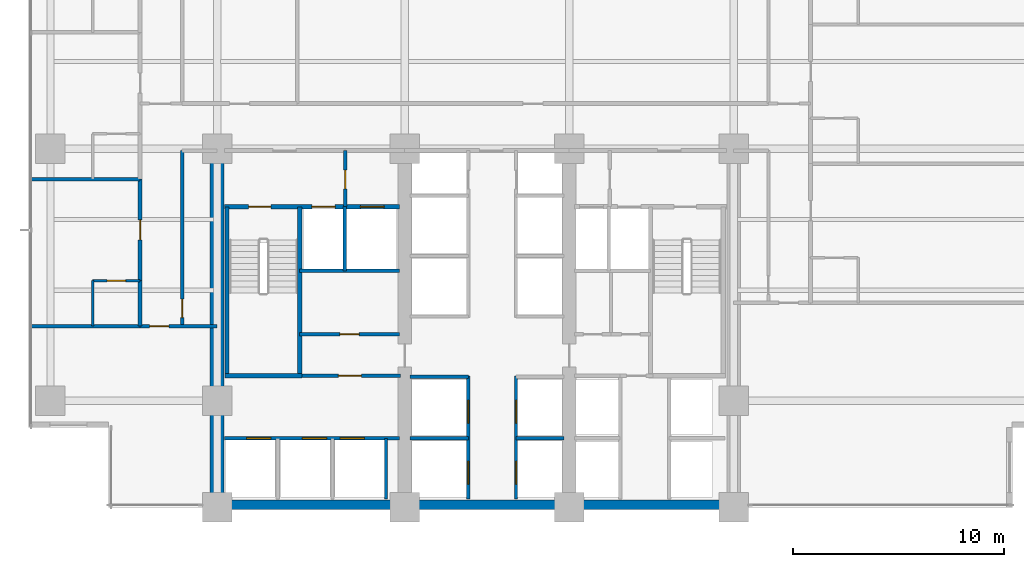
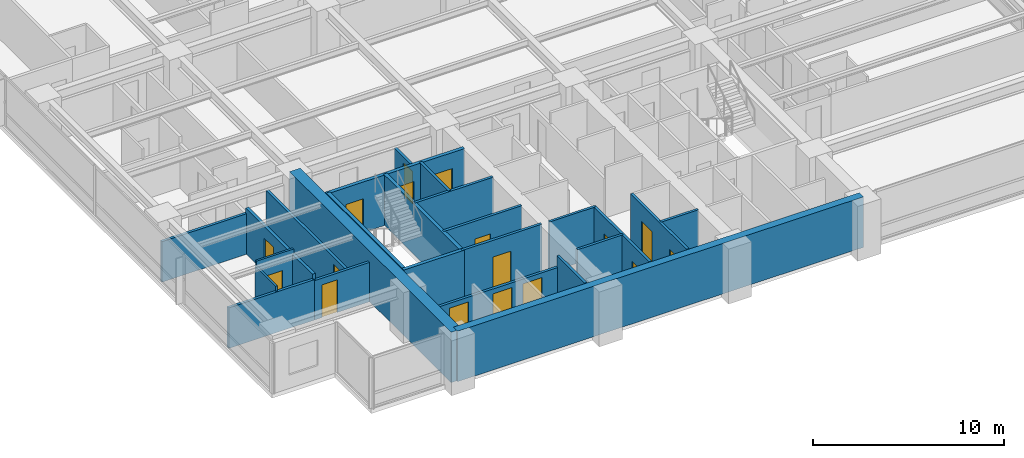
# One storey, part 7 of 16: 26 walls, 17 doors, 17 openings.
"""IFC4 building model written with IfcOpenShell, lengths in metres."""

import ifcopenshell
import ifcopenshell.guid

model = None  # the IFC model being written
_history = None  # IfcOwnerHistory: only IFC2X3 demands one
_inside = {}  # id of a spatial element -> (the spatial element, [elements in it])
_under = {}  # id of a project, library or spatial element -> (it, [spatial elements below it])
_declared = {}  # id of a project -> (the project, [libraries it declares])
_typed = {}  # id of a type object -> (the type object, [elements of that type])
_made_of = {}  # id of a material, layer set ... -> (it, [elements and type objects made of it])


def new_model(schema):
    """Start an empty IFC model of exactly this schema.

    Asked for "IFC4X3", IfcOpenShell would pick the latest addendum, in which some entities
    have other attributes; the version numbers below select the first issue.
    IFC2X3 requires an IfcOwnerHistory on every rooted entity: one is made here for all.
    """
    global model, _history
    if schema == "IFC4X3":
        model = ifcopenshell.file(schema_version=(4, 3, 0, 0))
    else:
        model = ifcopenshell.file(schema=schema)
    _inside.clear()
    _under.clear()
    _declared.clear()
    _typed.clear()
    _made_of.clear()
    _history = None
    if model.schema == "IFC2X3":
        org = make("IfcOrganization", Name="unknown")
        user = make(
            "IfcPersonAndOrganization",
            ThePerson=make("IfcPerson", FamilyName="unknown"),
            TheOrganization=org,
        )
        app = make(
            "IfcApplication",
            ApplicationDeveloper=org,
            Version="unknown",
            ApplicationFullName="unknown",
            ApplicationIdentifier="unknown",
        )
        _history = make(
            "IfcOwnerHistory",
            OwningUser=user,
            OwningApplication=app,
            ChangeAction="ADDED",
            CreationDate=0,
        )
    return model


def make(cls, **values):
    """One entity of the class cls with the attributes given. An attribute that is None is left unset."""
    return model.create_entity(
        cls, **{name: value for name, value in values.items() if value is not None}
    )


def rooted(cls, **values):
    """An entity with a GlobalId (a new one), such as an element, a storey or a relation."""
    return make(cls, GlobalId=ifcopenshell.guid.new(), OwnerHistory=_history, **values)


def si_unit(unit_type, name, prefix=None):
    """IfcSIUnit, for example si_unit("LENGTHUNIT", "METRE", prefix="MILLI")."""
    return make("IfcSIUnit", UnitType=unit_type, Prefix=prefix, Name=name)


def assignment(units):
    """IfcUnitAssignment: the units of a project."""
    return None if units is None else make("IfcUnitAssignment", Units=units)


def point(xyz):
    """IfcCartesianPoint."""
    return None if xyz is None else make("IfcCartesianPoint", Coordinates=xyz)


def direction(xyz):
    """IfcDirection."""
    return None if xyz is None else make("IfcDirection", DirectionRatios=xyz)


def frame(location, z_axis=None, x_axis=None):
    """IfcAxis2Placement3D, a coordinate frame: its origin and axes. An axis left out is left unset."""
    return make(
        "IfcAxis2Placement3D",
        Location=point(location),
        Axis=direction(z_axis),
        RefDirection=direction(x_axis),
    )


def frame_2d(location, x_axis=None):
    """IfcAxis2Placement2D, a coordinate frame in the plane: its origin and x axis."""
    return make(
        "IfcAxis2Placement2D", Location=point(location), RefDirection=direction(x_axis)
    )


def origin():
    """The frame at (0, 0, 0) with its axes left unset."""
    return frame((0.0, 0.0, 0.0))


def place(relative_to, where):
    """IfcLocalPlacement: puts the frame where relative to a parent placement (None: the world)."""
    return make(
        "IfcLocalPlacement", PlacementRelTo=relative_to, RelativePlacement=where
    )


def context(
    kind, dimensions, precision=None, world=None, true_north=None, identifier=None
):
    """IfcGeometricRepresentationContext, for example the 3D "Model" context."""
    return make(
        "IfcGeometricRepresentationContext",
        ContextIdentifier=identifier,
        ContextType=kind,
        CoordinateSpaceDimension=dimensions,
        Precision=precision,
        WorldCoordinateSystem=world,
        TrueNorth=true_north,
    )


def subcontext(parent, identifier, kind, view, scale=None):
    """IfcGeometricRepresentationSubContext, for example "Body" below "Model"."""
    return make(
        "IfcGeometricRepresentationSubContext",
        ContextIdentifier=identifier,
        ContextType=kind,
        ParentContext=parent,
        TargetScale=scale,
        TargetView=view,
    )


def project(units=None, contexts=None):
    """IfcProject with its units and contexts."""
    return rooted(
        "IfcProject",
        Name="project",
        RepresentationContexts=contexts,
        UnitsInContext=assignment(units),
    )


def spatial(cls, under=None, at=None, **own):
    """A site, building, storey or space (cls), placed at a placement, below another one or the project."""
    s = rooted(cls, ObjectPlacement=at, **own)
    if under is not None:
        _under.setdefault(under.id(), (under, []))[1].append(s)
    return s


def profile(cls, at=None, kind="AREA", **sizes):
    """A parametric profile (cls). Its sizes go by their IFC names, for example OverallWidth=200.0."""
    return make(cls, ProfileType=kind, Position=at, **sizes)


def rectangle(**sizes):
    """IfcRectangleProfileDef."""
    return profile("IfcRectangleProfileDef", **sizes)


def extrude(swept, where, along, depth):
    """IfcExtrudedAreaSolid: the profile swept, set in the frame where, extruded along a direction by depth."""
    return make(
        "IfcExtrudedAreaSolid",
        SweptArea=swept,
        Position=where,
        ExtrudedDirection=direction(along),
        Depth=depth,
    )


def shape(context_of_items, identifier, shape_type, items):
    """IfcShapeRepresentation: the items that make up one representation, for example the "Body"."""
    return make(
        "IfcShapeRepresentation",
        ContextOfItems=context_of_items,
        RepresentationIdentifier=identifier,
        RepresentationType=shape_type,
        Items=items,
    )


def material(Name=None, Category=None):
    """IfcMaterial."""
    return make("IfcMaterial", Name=Name, Category=Category)


def layer(
    of_material, thickness, ventilated=None, Name=None, Category=None, Priority=None
):
    """IfcMaterialLayer: one layer of a wall or slab, of a material (None: an air gap)."""
    return make(
        "IfcMaterialLayer",
        Material=of_material,
        LayerThickness=thickness,
        IsVentilated=ventilated,
        Name=Name,
        Category=Category,
        Priority=Priority,
    )


def layer_set(layers, Name=None):
    """IfcMaterialLayerSet."""
    return make("IfcMaterialLayerSet", MaterialLayers=layers, LayerSetName=Name)


def made_of(thing, what):
    """Note that an element or type object is made of a material, layer set ...; save() writes the relation."""
    if what is not None:
        _made_of.setdefault(what.id(), (what, []))[1].append(thing)
    return thing


def type_object(cls, material=None, **own):
    """A type object (cls), such as IfcWallType, which elements share."""
    return made_of(rooted(cls, **own), material)


def element(
    cls,
    number,
    at=None,
    inside=None,
    cuts=None,
    type_object=None,
    material=None,
    context=None,
    identifier="Body",
    shape_type=None,
    held_by="IfcProductDefinitionShape",
    body=None,
    shapes=None,
    **own,
):
    """One element of the class cls, such as IfcWall. Its Tag is "e" and its number.

    at: its placement. inside: the storey or other place that contains it. cuts: it is an
    opening in that element (IfcRelVoidsElement). A single representation is given by context,
    identifier, shape_type and body (its items); several are given by shapes. held_by: the class
    of the entity that holds the representations. save() writes the other relations.
    """
    e = rooted(cls, Tag="e%d" % number, ObjectPlacement=at, **own)
    if body is not None:
        shapes = [shape(context, identifier, shape_type, body)]
    if shapes is not None:
        e.Representation = make(held_by, Representations=shapes)
    if inside is not None:
        _inside.setdefault(inside.id(), (inside, []))[1].append(e)
    if cuts is not None:
        rooted(
            "IfcRelVoidsElement", RelatingBuildingElement=cuts, RelatedOpeningElement=e
        )
    if type_object is not None:
        _typed.setdefault(type_object.id(), (type_object, []))[1].append(e)
    return made_of(e, material)


def fill(opening, filler):
    """IfcRelFillsElement: the door or window that sits in an opening."""
    return rooted(
        "IfcRelFillsElement",
        RelatingOpeningElement=opening,
        RelatedBuildingElement=filler,
    )


def aggregate(whole, parts):
    """IfcRelAggregates: a whole, such as a stair, and the parts it consists of."""
    return rooted("IfcRelAggregates", RelatingObject=whole, RelatedObjects=parts)


def save(model, path):
    """Write the relations noted so far, then the file.

    IfcRelAggregates (storeys below a building ...), IfcRelContainedInSpatialStructure (elements
    in a storey), IfcRelDefinesByType, IfcRelAssociatesMaterial and IfcRelDeclares: one each for
    every whole, place, type object, material and project.
    """
    for whole, parts in _under.values():
        aggregate(whole, parts)
    for where, things in _inside.values():
        rooted(
            "IfcRelContainedInSpatialStructure",
            RelatedElements=things,
            RelatingStructure=where,
        )
    for kind, things in _typed.values():
        rooted("IfcRelDefinesByType", RelatedObjects=things, RelatingType=kind)
    for what, things in _made_of.values():
        rooted("IfcRelAssociatesMaterial", RelatedObjects=things, RelatingMaterial=what)
    for by, libraries in _declared.values():
        rooted("IfcRelDeclares", RelatingContext=by, RelatedDefinitions=libraries)
    model.write(path)


model = new_model("IFC4")

# Units and contexts
model_context = context("Model", 3, precision=1e-05, world=origin(), true_north=direction((0.0, 1.0)))
body_context = subcontext(model_context, "Body", "Model", "MODEL_VIEW")
ifc_project = project(units=[si_unit("LENGTHUNIT", "METRE"), si_unit("AREAUNIT", "SQUARE_METRE"), si_unit("VOLUMEUNIT", "CUBIC_METRE"), si_unit("PLANEANGLEUNIT", "RADIAN"), si_unit("MASSUNIT", "GRAM", prefix="KILO")], contexts=[model_context])

# Site, building, storey
site_placement = place(None, origin())
site = spatial("IfcSite", under=ifc_project, at=site_placement, CompositionType="ELEMENT")
building_placement = place(site_placement, origin())
building = spatial("IfcBuilding", under=site, at=building_placement, Name="Qalmaran Belvedere Hotel", CompositionType="ELEMENT")
storey_placement = place(building_placement, frame((0.0, 0.0, 64.89990234375)))
storey = spatial("IfcBuildingStorey", under=building, at=storey_placement, Name="L16", CompositionType="ELEMENT", Elevation=64.89990234375)

# Walls
ifc_material_1 = material(Name="Concrete C60/75", Category="concrete")
ifc_layer_1 = layer(ifc_material_1, 0.64990234375, Name="Concrete C60/75")
ifc_layer_set_1 = layer_set([ifc_layer_1], Name="Concrete C60/75")
wall_type_1 = type_object("IfcWallType", Name="WL-CORE-650-C60", PredefinedType="SHEAR", material=ifc_layer_set_1)
wall_1_placement = place(storey_placement, frame((20.300048828125, 3.5, 0.0), z_axis=(0.0, 0.0, 1.0), x_axis=(0.0, 1.0, 0.0)))
element("IfcWall", 1, at=wall_1_placement, inside=storey, type_object=wall_type_1, Name="L16 West Core Shear Wall", PredefinedType="SHEAR", context=body_context, shape_type="SweptSolid", body=[
    extrude(rectangle(XDim=16.89990234375, YDim=0.64990234375, at=frame_2d((8.449951171875, 0.0))), origin(), (0.0, 0.0, 1.0), 3.22021484375),
])
ifc_material_2 = material(Name="Concrete C50/60", Category="concrete")
ifc_layer_2 = layer(ifc_material_2, 0.43994140625, Name="Concrete C50/60")
ifc_layer_set_2 = layer_set([ifc_layer_2], Name="Concrete C50/60")
wall_type_2 = type_object("IfcWallType", Name="WL-CORES-440-EXT", PredefinedType="SHEAR", material=ifc_layer_set_2)
wall_2_placement = place(storey_placement, frame((20.300048828125, 3.6298828125, 0.0), z_axis=(0.0, 0.0, 1.0), x_axis=(1.0, 0.0, 0.0)))
element("IfcWall", 2, at=wall_2_placement, inside=storey, type_object=wall_type_2, Name="L16 South Core Shear Wall", PredefinedType="SHEAR", context=body_context, shape_type="SweptSolid", body=[
    extrude(rectangle(XDim=24.5, YDim=0.43994140625, at=frame_2d((12.25, 0.0))), origin(), (0.0, 0.0, 1.0), 3.22021484375),
])

# Wall, opening, door
ifc_material_3 = material(Name="Moisture-Resistant Gypsum")
ifc_layer_3 = layer(ifc_material_3, 0.1201171875, Name="Moisture-Resistant Gypsum")
ifc_layer_set_3 = layer_set([ifc_layer_3], Name="Moisture-Resistant Gypsum")
wall_type_3 = type_object("IfcWallType", Name="WL-INT-120-BATH", PredefinedType="PARTITIONING", material=ifc_layer_set_3)
wall_3_placement = place(storey_placement, frame((14.39990234375, 14.25, 0.0), z_axis=(0.0, 0.0, 1.0), x_axis=(1.0, 0.0, 0.0)))
wall_3 = element("IfcWall", 3, at=wall_3_placement, inside=storey, type_object=wall_type_3, Name="L16 Partition WL-L16-WBN00", PredefinedType="PARTITIONING", context=body_context, shape_type="SweptSolid", body=[
    extrude(rectangle(XDim=2.25, YDim=0.1201171875, at=frame_2d((1.125, 0.0))), origin(), (0.0, 0.0, 1.0), 3.22021484375),
])
opening_1_placement = place(wall_3_placement, frame((1.56494140625, 0.0, 0.0), z_axis=(0.0, 0.0, 1.0), x_axis=(-1.0, 0.0, 0.0)))
opening_1 = element("IfcOpeningElement", 4, at=opening_1_placement, cuts=wall_3, Name="Opening D-BATH", PredefinedType="OPENING", context=body_context, shape_type="SweptSolid", body=[
    extrude(rectangle(XDim=0.8798828125, YDim=2.080078125, at=frame_2d((0.43994140625, 1.0400390625))), frame((0.0, 0.070068359375, 0.0), z_axis=(0.0, -1.0, 0.0), x_axis=(1.0, 0.0, 0.0)), (0.0, 0.0, 1.0), 0.14013671875),
])
ifc_material_4 = material(Name="Engineered Oak Veneer")
door_type_1 = type_object("IfcDoorType", Name="DR-INT-BATH-880X2080", OperationType="NOTDEFINED", PredefinedType="DOOR", material=ifc_material_4)
door_1_placement = place(opening_1_placement, origin())
door_1 = element("IfcDoor", 5, at=door_1_placement, inside=storey, type_object=door_type_1, Name="L16 W Ensuite Door 01", OperationType="SINGLE_SWING_RIGHT", OverallHeight=2.080078125, OverallWidth=0.8798828125, PredefinedType="DOOR", context=body_context, shape_type="SweptSolid", body=[
    extrude(rectangle(XDim=0.8798828125, YDim=2.080078125, at=frame_2d((0.43994140625, 1.0400390625))), frame((0.0, 0.02490234375, 0.0), z_axis=(0.0, -1.0, 0.0), x_axis=(1.0, 0.0, 0.0)), (0.0, 0.0, 1.0), 0.050048828125),
])
fill(opening_1, door_1)

# Walls
wall_4_placement = place(storey_placement, frame((14.39990234375, 12.10009765625, 0.0), z_axis=(0.0, 0.0, 1.0), x_axis=(0.0, 1.0, 0.0)))
element("IfcWall", 6, at=wall_4_placement, inside=storey, type_object=wall_type_3, Name="L16 Partition WL-L16-WBS00", PredefinedType="PARTITIONING", context=body_context, shape_type="SweptSolid", body=[
    extrude(rectangle(XDim=2.14990234375, YDim=0.1201171875, at=frame_2d((1.074951171875, 0.0))), origin(), (0.0, 0.0, 1.0), 2.902099609375),
])
ifc_material_5 = material(Name="Gypsum Stud Partition")
ifc_layer_4 = layer(ifc_material_5, 0.14990234375, Name="Gypsum Stud Partition")
ifc_layer_set_4 = layer_set([ifc_layer_4], Name="Gypsum Stud Partition")
wall_type_4 = type_object("IfcWallType", Name="WL-INT-150-EI120", PredefinedType="PARTITIONING", material=ifc_layer_set_4)
wall_5_placement = place(storey_placement, frame((26.360107421875, 14.719970703125, 0.0), z_axis=(0.0, 0.0, 1.0), x_axis=(0.0, 1.0, 0.0)))
element("IfcWall", 7, at=wall_5_placement, inside=storey, type_object=wall_type_4, Name="L16 Partition WL-FF1M-L16", PredefinedType="PARTITIONING", context=body_context, shape_type="SweptSolid", body=[
    extrude(rectangle(XDim=3.0400390625, YDim=0.14990234375, at=frame_2d((1.52001953125, 0.0))), origin(), (0.0, 0.0, 1.0), 3.22021484375),
])
wall_6_placement = place(storey_placement, frame((28.320068359375, 3.89990234375, 0.0), z_axis=(0.0, 0.0, 1.0), x_axis=(0.0, 1.0, 0.0)))
element("IfcWall", 8, at=wall_6_placement, inside=storey, type_object=wall_type_4, Name="L16 Partition WL-POM3-L16", PredefinedType="PARTITIONING", context=body_context, shape_type="SweptSolid", body=[
    extrude(rectangle(XDim=2.880126953125, YDim=0.14990234375, at=frame_2d((1.43994140625, 0.0))), origin(), (0.0, 0.0, 1.0), 3.22021484375),
])
wall_7_placement = place(storey_placement, frame((29.449951171875, 6.780029296875, 0.0), z_axis=(0.0, 0.0, 1.0), x_axis=(1.0, 0.0, 0.0)))
element("IfcWall", 9, at=wall_7_placement, inside=storey, type_object=wall_type_4, Name="L16 Partition WL-PLW-L16-67", PredefinedType="PARTITIONING", context=body_context, shape_type="SweptSolid", body=[
    extrude(rectangle(XDim=2.77001953125, YDim=0.14990234375, at=frame_2d((1.385009765625, 0.0))), origin(), (0.0, 0.0, 1.0), 3.22021484375),
])
wall_8_placement = place(storey_placement, frame((34.47998046875, 6.780029296875, 0.0), z_axis=(0.0, 0.0, 1.0), x_axis=(1.0, 0.0, 0.0)))
element("IfcWall", 10, at=wall_8_placement, inside=storey, type_object=wall_type_4, Name="L16 Partition WL-PLE-L16-67", PredefinedType="PARTITIONING", context=body_context, shape_type="SweptSolid", body=[
    extrude(rectangle(XDim=2.27001953125, YDim=0.14990234375, at=frame_2d((1.135009765625, 0.0))), origin(), (0.0, 0.0, 1.0), 3.22021484375),
])
wall_9_placement = place(storey_placement, frame((29.449951171875, 9.699951171875, 0.0), z_axis=(0.0, 0.0, 1.0), x_axis=(1.0, 0.0, 0.0)))
element("IfcWall", 11, at=wall_9_placement, inside=storey, type_object=wall_type_4, Name="L16 Partition WL-PLW-L16-97", PredefinedType="PARTITIONING", context=body_context, shape_type="SweptSolid", body=[
    extrude(rectangle(XDim=2.77001953125, YDim=0.14990234375, at=frame_2d((1.385009765625, 0.0))), origin(), (0.0, 0.0, 1.0), 3.22021484375),
])

# Wall, opening, door
ifc_layer_5 = layer(ifc_material_5, 0.159912109375, Name="Gypsum Stud Partition")
ifc_layer_set_5 = layer_set([ifc_layer_5], Name="Gypsum Stud Partition")
wall_type_5 = type_object("IfcWallType", Name="WL-INT-160-EI120", PredefinedType="PARTITIONING", material=ifc_layer_set_5)
wall_10_placement = place(storey_placement, frame((26.3798828125, 17.760009765625, 0.0), z_axis=(0.0, 0.0, 1.0), x_axis=(0.0, 1.0, 0.0)))
wall_10 = element("IfcWall", 12, at=wall_10_placement, inside=storey, type_object=wall_type_5, Name="L16 Partition WL-FFSV1-L16", PredefinedType="PARTITIONING", context=body_context, shape_type="SweptSolid", body=[
    extrude(rectangle(XDim=2.659912109375, YDim=0.159912109375, at=frame_2d((1.330078125, 0.0))), origin(), (0.0, 0.0, 1.0), 2.510009765625),
])
opening_2_placement = place(wall_10_placement, frame((0.85009765625, 0.0, 0.0)))
opening_2 = element("IfcOpeningElement", 13, at=opening_2_placement, cuts=wall_10, Name="Opening FD60B", PredefinedType="OPENING", context=body_context, shape_type="SweptSolid", body=[
    extrude(rectangle(XDim=0.8798828125, YDim=2.080078125, at=frame_2d((0.43994140625, 1.0400390625))), frame((0.0, 0.08984375, 0.0), z_axis=(0.0, -1.0, 0.0), x_axis=(1.0, 0.0, 0.0)), (0.0, 0.0, 1.0), 0.179931640625),
])
ifc_material_6 = material(Name="Steel S355JR", Category="steel")
door_type_2 = type_object("IfcDoorType", Name="DR-FD60B-880X2080", OperationType="NOTDEFINED", PredefinedType="DOOR", material=ifc_material_6)
door_2_placement = place(opening_2_placement, origin())
door_2 = element("IfcDoor", 14, at=door_2_placement, inside=storey, type_object=door_type_2, Name="L16 Service Lobby West Door", OperationType="SINGLE_SWING_RIGHT", OverallHeight=2.080078125, OverallWidth=0.8798828125, PredefinedType="DOOR", context=body_context, shape_type="SweptSolid", body=[
    extrude(rectangle(XDim=0.8798828125, YDim=2.080078125, at=frame_2d((0.43994140625, 1.0400390625))), frame((0.0, 0.02490234375, 0.0), z_axis=(0.0, -1.0, 0.0), x_axis=(1.0, 0.0, 0.0)), (0.0, 0.0, 1.0), 0.050048828125),
])
fill(opening_2, door_2)

# Wall
wall_11_placement = place(storey_placement, frame((24.219970703125, 14.719970703125, 0.0), z_axis=(0.0, 0.0, 1.0), x_axis=(1.0, 0.0, 0.0)))
element("IfcWall", 15, at=wall_11_placement, inside=storey, type_object=wall_type_5, Name="L16 Partition WL-FF1S-L16", PredefinedType="PARTITIONING", context=body_context, shape_type="SweptSolid", body=[
    extrude(rectangle(XDim=4.72998046875, YDim=0.159912109375, at=frame_2d((2.364990234375, 0.0))), origin(), (0.0, 0.0, 1.0), 3.22021484375),
])

# Wall, openings, doors
wall_12_placement = place(storey_placement, frame((20.64990234375, 6.780029296875, 0.0), z_axis=(0.0, 0.0, 1.0), x_axis=(1.0, 0.0, 0.0)))
wall_12 = element("IfcWall", 16, at=wall_12_placement, inside=storey, type_object=wall_type_5, Name="L16 Partition WL-POS-L16", PredefinedType="PARTITIONING", context=body_context, shape_type="SweptSolid", body=[
    extrude(rectangle(XDim=8.300048828125, YDim=0.159912109375, at=frame_2d((4.14990234375, 0.0))), origin(), (0.0, 0.0, 1.0), 2.510009765625),
])
opening_3_placement = place(wall_12_placement, frame((3.69482421875, 0.0, 0.0)))
opening_3 = element("IfcOpeningElement", 17, at=opening_3_placement, cuts=wall_12, Name="Opening LD-PO", PredefinedType="OPENING", context=body_context, shape_type="SweptSolid", body=[
    extrude(rectangle(XDim=1.14990234375, YDim=2.199951171875, at=frame_2d((0.574951171875, 1.10009765625))), frame((0.0, 0.08984375, 0.0), z_axis=(0.0, -1.0, 0.0), x_axis=(1.0, 0.0, 0.0)), (0.0, 0.0, 1.0), 0.179931640625),
])
opening_4_placement = place(wall_12_placement, frame((5.4921875, 0.0, 0.0)))
opening_4 = element("IfcOpeningElement", 18, at=opening_4_placement, cuts=wall_12, Name="Opening LD-PO", PredefinedType="OPENING", context=body_context, shape_type="SweptSolid", body=[
    extrude(rectangle(XDim=1.14990234375, YDim=2.199951171875, at=frame_2d((0.574951171875, 1.10009765625))), frame((0.0, 0.08984375, 0.0), z_axis=(0.0, -1.0, 0.0), x_axis=(1.0, 0.0, 0.0)), (0.0, 0.0, 1.0), 0.179931640625),
])
opening_5_placement = place(wall_12_placement, frame((1.058837890625, 0.0, 0.0)))
opening_5 = element("IfcOpeningElement", 19, at=opening_5_placement, cuts=wall_12, Name="Opening LD-PO", PredefinedType="OPENING", context=body_context, shape_type="SweptSolid", body=[
    extrude(rectangle(XDim=1.14990234375, YDim=2.199951171875, at=frame_2d((0.574951171875, 1.10009765625))), frame((0.0, 0.08984375, 0.0), z_axis=(0.0, -1.0, 0.0), x_axis=(1.0, 0.0, 0.0)), (0.0, 0.0, 1.0), 0.179931640625),
])
ifc_material_7 = material(Name="Anodised Bronze Aluminium", Category="aluminium")
door_type_3 = type_object("IfcDoorType", Name="DR-LIFT-PO-1150X2200", OperationType="DOUBLE_DOOR_SLIDING", PredefinedType="DOOR", material=ifc_material_7)
door_3_placement = place(opening_3_placement, origin())
door_3 = element("IfcDoor", 20, at=door_3_placement, inside=storey, type_object=door_type_3, Name="L16 PO1 Shuttle Landing Door", OperationType="DOUBLE_DOOR_SLIDING", OverallHeight=2.199951171875, OverallWidth=1.14990234375, PredefinedType="DOOR", context=body_context, shape_type="SweptSolid", body=[
    extrude(rectangle(XDim=1.14990234375, YDim=2.199951171875, at=frame_2d((0.574951171875, 1.10009765625))), frame((0.0, 0.02490234375, 0.0), z_axis=(0.0, -1.0, 0.0), x_axis=(1.0, 0.0, 0.0)), (0.0, 0.0, 1.0), 0.050048828125),
])
fill(opening_3, door_3)
door_4_placement = place(opening_4_placement, origin())
door_4 = element("IfcDoor", 21, at=door_4_placement, inside=storey, type_object=door_type_3, Name="L16 PO2 Shuttle Landing Door", OperationType="DOUBLE_DOOR_SLIDING", OverallHeight=2.199951171875, OverallWidth=1.14990234375, PredefinedType="DOOR", context=body_context, shape_type="SweptSolid", body=[
    extrude(rectangle(XDim=1.14990234375, YDim=2.199951171875, at=frame_2d((0.574951171875, 1.10009765625))), frame((0.0, 0.02490234375, 0.0), z_axis=(0.0, -1.0, 0.0), x_axis=(1.0, 0.0, 0.0)), (0.0, 0.0, 1.0), 0.050048828125),
])
fill(opening_4, door_4)
door_5_placement = place(opening_5_placement, origin())
door_5 = element("IfcDoor", 22, at=door_5_placement, inside=storey, type_object=door_type_3, Name="L16 PO3 Shuttle Landing Door", OperationType="DOUBLE_DOOR_SLIDING", OverallHeight=2.199951171875, OverallWidth=1.14990234375, PredefinedType="DOOR", context=body_context, shape_type="SweptSolid", body=[
    extrude(rectangle(XDim=1.14990234375, YDim=2.199951171875, at=frame_2d((0.574951171875, 1.10009765625))), frame((0.0, 0.02490234375, 0.0), z_axis=(0.0, -1.0, 0.0), x_axis=(1.0, 0.0, 0.0)), (0.0, 0.0, 1.0), 0.050048828125),
])
fill(opening_5, door_5)

# Wall, opening, door
wall_13_placement = place(storey_placement, frame((24.199951171875, 9.739990234375, 0.0), z_axis=(0.0, 0.0, 1.0), x_axis=(1.0, 0.0, 0.0)))
wall_13 = element("IfcWall", 23, at=wall_13_placement, inside=storey, type_object=wall_type_5, Name="L16 Partition WL-PON-L16", PredefinedType="PARTITIONING", context=body_context, shape_type="SweptSolid", body=[
    extrude(rectangle(XDim=4.800048828125, YDim=0.159912109375, at=frame_2d((2.39990234375, 0.0))), origin(), (0.0, 0.0, 1.0), 3.22021484375),
])
opening_6_placement = place(wall_13_placement, frame((1.85009765625, 0.0, 0.0)))
opening_6 = element("IfcOpeningElement", 24, at=opening_6_placement, cuts=wall_13, Name="Opening FD90", PredefinedType="OPENING", context=body_context, shape_type="SweptSolid", body=[
    extrude(rectangle(XDim=1.10009765625, YDim=2.14990234375, at=frame_2d((0.550048828125, 1.074951171875))), frame((0.0, 0.08984375, 0.0), z_axis=(0.0, -1.0, 0.0), x_axis=(1.0, 0.0, 0.0)), (0.0, 0.0, 1.0), 0.179931640625),
])
door_type_4 = type_object("IfcDoorType", Name="DR-FD90-1100X2150", OperationType="NOTDEFINED", PredefinedType="DOOR", material=ifc_material_6)
door_6_placement = place(opening_6_placement, origin())
door_6 = element("IfcDoor", 25, at=door_6_placement, inside=storey, type_object=door_type_4, Name="L16 Shuttle Lobby Passage Door", OperationType="SINGLE_SWING_RIGHT", OverallHeight=2.14990234375, OverallWidth=1.10009765625, PredefinedType="DOOR", context=body_context, shape_type="SweptSolid", body=[
    extrude(rectangle(XDim=1.10009765625, YDim=2.14990234375, at=frame_2d((0.550048828125, 1.074951171875))), frame((0.0, 0.02490234375, 0.0), z_axis=(0.0, -1.0, 0.0), x_axis=(1.0, 0.0, 0.0)), (0.0, 0.0, 1.0), 0.050048828125),
])
fill(opening_6, door_6)

# Wall, openings, doors
wall_14_placement = place(storey_placement, frame((32.219970703125, 3.89990234375, 0.0), z_axis=(0.0, 0.0, 1.0), x_axis=(0.0, 1.0, 0.0)))
wall_14 = element("IfcWall", 26, at=wall_14_placement, inside=storey, type_object=wall_type_5, Name="L16 Partition WL-CLBWS-L16", PredefinedType="PARTITIONING", context=body_context, shape_type="SweptSolid", body=[
    extrude(rectangle(XDim=5.840087890625, YDim=0.159912109375, at=frame_2d((2.919921875, 0.0))), origin(), (0.0, 0.0, 1.0), 3.22021484375),
])
opening_7_placement = place(wall_14_placement, frame((1.780029296875, 0.0, 0.0), z_axis=(0.0, 0.0, 1.0), x_axis=(-1.0, 0.0, 0.0)))
opening_7 = element("IfcOpeningElement", 27, at=opening_7_placement, cuts=wall_14, Name="Opening LD-P1", PredefinedType="OPENING", context=body_context, shape_type="SweptSolid", body=[
    extrude(rectangle(XDim=1.080078125, YDim=2.159912109375, at=frame_2d((0.5400390625, 1.080078125))), frame((0.0, 0.08984375, 0.0), z_axis=(0.0, -1.0, 0.0), x_axis=(1.0, 0.0, 0.0)), (0.0, 0.0, 1.0), 0.179931640625),
])
opening_8_placement = place(wall_14_placement, frame((4.68017578125, 0.0, 0.0), z_axis=(0.0, 0.0, 1.0), x_axis=(-1.0, 0.0, 0.0)))
opening_8 = element("IfcOpeningElement", 28, at=opening_8_placement, cuts=wall_14, Name="Opening LD-P1", PredefinedType="OPENING", context=body_context, shape_type="SweptSolid", body=[
    extrude(rectangle(XDim=1.080078125, YDim=2.159912109375, at=frame_2d((0.5400390625, 1.080078125))), frame((0.0, 0.08984375, 0.0), z_axis=(0.0, -1.0, 0.0), x_axis=(1.0, 0.0, 0.0)), (0.0, 0.0, 1.0), 0.179931640625),
])
ifc_material_8 = material(Name="Stainless Steel 1.4401", Category="steel")
door_type_5 = type_object("IfcDoorType", Name="DR-LIFT-P1-1080X2160", OperationType="DOUBLE_DOOR_SLIDING", PredefinedType="DOOR", material=ifc_material_8)
door_7_placement = place(opening_7_placement, origin())
door_7 = element("IfcDoor", 29, at=door_7_placement, inside=storey, type_object=door_type_5, Name="L16 PL1 Lift Landing Door", OperationType="DOUBLE_DOOR_SLIDING", OverallHeight=2.159912109375, OverallWidth=1.080078125, PredefinedType="DOOR", context=body_context, shape_type="SweptSolid", body=[
    extrude(rectangle(XDim=1.080078125, YDim=2.159912109375, at=frame_2d((0.5400390625, 1.080078125))), frame((0.0, 0.02490234375, 0.0), z_axis=(0.0, -1.0, 0.0), x_axis=(1.0, 0.0, 0.0)), (0.0, 0.0, 1.0), 0.050048828125),
])
fill(opening_7, door_7)
door_8_placement = place(opening_8_placement, origin())
door_8 = element("IfcDoor", 30, at=door_8_placement, inside=storey, type_object=door_type_5, Name="L16 PL2 Lift Landing Door", OperationType="DOUBLE_DOOR_SLIDING", OverallHeight=2.159912109375, OverallWidth=1.080078125, PredefinedType="DOOR", context=body_context, shape_type="SweptSolid", body=[
    extrude(rectangle(XDim=1.080078125, YDim=2.159912109375, at=frame_2d((0.5400390625, 1.080078125))), frame((0.0, 0.02490234375, 0.0), z_axis=(0.0, -1.0, 0.0), x_axis=(1.0, 0.0, 0.0)), (0.0, 0.0, 1.0), 0.050048828125),
])
fill(opening_8, door_8)

wall_15_placement = place(storey_placement, frame((34.47998046875, 3.89990234375, 0.0), z_axis=(0.0, 0.0, 1.0), x_axis=(0.0, 1.0, 0.0)))
wall_15 = element("IfcWall", 31, at=wall_15_placement, inside=storey, type_object=wall_type_5, Name="L16 Partition WL-CLBES-L16", PredefinedType="PARTITIONING", context=body_context, shape_type="SweptSolid", body=[
    extrude(rectangle(XDim=5.840087890625, YDim=0.159912109375, at=frame_2d((2.919921875, 0.0))), origin(), (0.0, 0.0, 1.0), 3.22021484375),
])
opening_9_placement = place(wall_15_placement, frame((0.699951171875, 0.0, 0.0)))
opening_9 = element("IfcOpeningElement", 32, at=opening_9_placement, cuts=wall_15, Name="Opening LD-P1", PredefinedType="OPENING", context=body_context, shape_type="SweptSolid", body=[
    extrude(rectangle(XDim=1.080078125, YDim=2.159912109375, at=frame_2d((0.5400390625, 1.080078125))), frame((0.0, 0.08984375, 0.0), z_axis=(0.0, -1.0, 0.0), x_axis=(1.0, 0.0, 0.0)), (0.0, 0.0, 1.0), 0.179931640625),
])
opening_10_placement = place(wall_15_placement, frame((3.60009765625, 0.0, 0.0)))
opening_10 = element("IfcOpeningElement", 33, at=opening_10_placement, cuts=wall_15, Name="Opening LD-P1", PredefinedType="OPENING", context=body_context, shape_type="SweptSolid", body=[
    extrude(rectangle(XDim=1.080078125, YDim=2.159912109375, at=frame_2d((0.5400390625, 1.080078125))), frame((0.0, 0.08984375, 0.0), z_axis=(0.0, -1.0, 0.0), x_axis=(1.0, 0.0, 0.0)), (0.0, 0.0, 1.0), 0.179931640625),
])
door_9_placement = place(opening_9_placement, origin())
door_9 = element("IfcDoor", 34, at=door_9_placement, inside=storey, type_object=door_type_5, Name="L16 PL3 Lift Landing Door", OperationType="DOUBLE_DOOR_SLIDING", OverallHeight=2.159912109375, OverallWidth=1.080078125, PredefinedType="DOOR", context=body_context, shape_type="SweptSolid", body=[
    extrude(rectangle(XDim=1.080078125, YDim=2.159912109375, at=frame_2d((0.5400390625, 1.080078125))), frame((0.0, 0.02490234375, 0.0), z_axis=(0.0, -1.0, 0.0), x_axis=(1.0, 0.0, 0.0)), (0.0, 0.0, 1.0), 0.050048828125),
])
fill(opening_9, door_9)
door_10_placement = place(opening_10_placement, origin())
door_10 = element("IfcDoor", 35, at=door_10_placement, inside=storey, type_object=door_type_5, Name="L16 PL4 Lift Landing Door", OperationType="DOUBLE_DOOR_SLIDING", OverallHeight=2.159912109375, OverallWidth=1.080078125, PredefinedType="DOOR", context=body_context, shape_type="SweptSolid", body=[
    extrude(rectangle(XDim=1.080078125, YDim=2.159912109375, at=frame_2d((0.5400390625, 1.080078125))), frame((0.0, 0.02490234375, 0.0), z_axis=(0.0, -1.0, 0.0), x_axis=(1.0, 0.0, 0.0)), (0.0, 0.0, 1.0), 0.050048828125),
])
fill(opening_10, door_10)

# Wall, opening, door
ifc_layer_6 = layer(ifc_material_5, 0.159912109375, Name="Gypsum Stud Partition")
ifc_layer_set_6 = layer_set([ifc_layer_6], Name="Gypsum Stud Partition")
wall_type_6 = type_object("IfcWallType", Name="WL-INT-160-EI60", PredefinedType="PARTITIONING", material=ifc_layer_set_6)
wall_16_placement = place(storey_placement, frame((24.219970703125, 11.719970703125, 0.0), z_axis=(0.0, 0.0, 1.0), x_axis=(1.0, 0.0, 0.0)))
wall_16 = element("IfcWall", 36, at=wall_16_placement, inside=storey, type_object=wall_type_6, Name="L16 Partition WL-L16-KWE1", PredefinedType="PARTITIONING", context=body_context, shape_type="SweptSolid", body=[
    extrude(rectangle(XDim=4.72998046875, YDim=0.159912109375, at=frame_2d((2.364990234375, 0.0))), origin(), (0.0, 0.0, 1.0), 3.22021484375),
])
opening_11_placement = place(wall_16_placement, frame((1.905029296875, 0.0, 0.0)))
opening_11 = element("IfcOpeningElement", 37, at=opening_11_placement, cuts=wall_16, Name="Opening FD60S1", PredefinedType="OPENING", context=body_context, shape_type="SweptSolid", body=[
    extrude(rectangle(XDim=0.919921875, YDim=2.080078125, at=frame_2d((0.4599609375, 1.0400390625))), frame((0.0, 0.08984375, 0.0), z_axis=(0.0, -1.0, 0.0), x_axis=(1.0, 0.0, 0.0)), (0.0, 0.0, 1.0), 0.179931640625),
])
door_type_6 = type_object("IfcDoorType", Name="DR-FD60S-920X2080", OperationType="NOTDEFINED", PredefinedType="DOOR", material=ifc_material_4)
door_11_placement = place(opening_11_placement, origin())
door_11 = element("IfcDoor", 38, at=door_11_placement, inside=storey, type_object=door_type_6, Name="L16 Electrical Distribution Room Door", OperationType="SINGLE_SWING_LEFT", OverallHeight=2.080078125, OverallWidth=0.919921875, PredefinedType="DOOR", context=body_context, shape_type="SweptSolid", body=[
    extrude(rectangle(XDim=0.919921875, YDim=2.080078125, at=frame_2d((0.4599609375, 1.0400390625))), frame((0.0, 0.02490234375, 0.0), z_axis=(0.0, -1.0, 0.0), x_axis=(1.0, 0.0, 0.0)), (0.0, 0.0, 1.0), 0.050048828125),
])
fill(opening_11, door_11)

wall_17_placement = place(storey_placement, frame((16.64990234375, 12.10009765625, 0.0), z_axis=(0.0, 0.0, 1.0), x_axis=(1.0, 0.0, 0.0)))
wall_17 = element("IfcWall", 39, at=wall_17_placement, inside=storey, type_object=wall_type_6, Name="L16 Partition WL-L16-SWRL", PredefinedType="PARTITIONING", context=body_context, shape_type="SweptSolid", body=[
    extrude(rectangle(XDim=3.650146484375, YDim=0.159912109375, at=frame_2d((1.8251953125, 0.0))), origin(), (0.0, 0.0, 1.0), 2.510009765625),
])
opening_12_placement = place(wall_17_placement, frame((1.369873046875, 0.0, 0.0), z_axis=(0.0, 0.0, 1.0), x_axis=(-1.0, 0.0, 0.0)))
opening_12 = element("IfcOpeningElement", 40, at=opening_12_placement, cuts=wall_17, Name="Opening FD60S1", PredefinedType="OPENING", context=body_context, shape_type="SweptSolid", body=[
    extrude(rectangle(XDim=0.919921875, YDim=2.080078125, at=frame_2d((0.4599609375, 1.0400390625))), frame((0.0, 0.08984375, 0.0), z_axis=(0.0, -1.0, 0.0), x_axis=(1.0, 0.0, 0.0)), (0.0, 0.0, 1.0), 0.179931640625),
])
door_12_placement = place(opening_12_placement, origin())
door_12 = element("IfcDoor", 41, at=door_12_placement, inside=storey, type_object=door_type_6, Name="L16 SW Lounge Door", OperationType="SINGLE_SWING_RIGHT", OverallHeight=2.080078125, OverallWidth=0.919921875, PredefinedType="DOOR", context=body_context, shape_type="SweptSolid", body=[
    extrude(rectangle(XDim=0.919921875, YDim=2.080078125, at=frame_2d((0.4599609375, 1.0400390625))), frame((0.0, 0.02490234375, 0.0), z_axis=(0.0, -1.0, 0.0), x_axis=(1.0, 0.0, 0.0)), (0.0, 0.0, 1.0), 0.050048828125),
])
fill(opening_12, door_12)

wall_18_placement = place(storey_placement, frame((18.64990234375, 12.10009765625, 0.0), z_axis=(0.0, 0.0, 1.0), x_axis=(0.0, 1.0, 0.0)))
wall_18 = element("IfcWall", 42, at=wall_18_placement, inside=storey, type_object=wall_type_6, Name="L16 Partition WL-L16-WCL", PredefinedType="PARTITIONING", context=body_context, shape_type="SweptSolid", body=[
    extrude(rectangle(XDim=8.31982421875, YDim=0.159912109375, at=frame_2d((4.159912109375, 0.0))), origin(), (0.0, 0.0, 1.0), 2.510009765625),
])
opening_13_placement = place(wall_18_placement, frame((1.27978515625, 0.0, 0.0), z_axis=(0.0, 0.0, 1.0), x_axis=(-1.0, 0.0, 0.0)))
opening_13 = element("IfcOpeningElement", 43, at=opening_13_placement, cuts=wall_18, Name="Opening FD60B", PredefinedType="OPENING", context=body_context, shape_type="SweptSolid", body=[
    extrude(rectangle(XDim=0.8798828125, YDim=2.080078125, at=frame_2d((0.43994140625, 1.0400390625))), frame((0.0, 0.08984375, 0.0), z_axis=(0.0, -1.0, 0.0), x_axis=(1.0, 0.0, 0.0)), (0.0, 0.0, 1.0), 0.179931640625),
])
door_13_placement = place(opening_13_placement, origin())
door_13 = element("IfcDoor", 44, at=door_13_placement, inside=storey, type_object=door_type_2, Name="L16 West Closet Door", OperationType="SINGLE_SWING_RIGHT", OverallHeight=2.080078125, OverallWidth=0.8798828125, PredefinedType="DOOR", context=body_context, shape_type="SweptSolid", body=[
    extrude(rectangle(XDim=0.8798828125, YDim=2.080078125, at=frame_2d((0.43994140625, 1.0400390625))), frame((0.0, 0.02490234375, 0.0), z_axis=(0.0, -1.0, 0.0), x_axis=(1.0, 0.0, 0.0)), (0.0, 0.0, 1.0), 0.050048828125),
])
fill(opening_13, door_13)

# Walls
for number, where, z_axis, x_axis, name in (
    (45, (11.469970703125, 12.10009765625, 0.0), (0.0, 0.0, 1.0), (1.0, 0.0, 0.0), "L16 Partition WL-L16-WBOT"),
    (46, (11.469970703125, 19.066650390625, 0.0), (0.0, 0.0, 1.0), (1.0, 0.0, 0.0), "L16 Partition WL-L16-WU00"),
):
    element("IfcWall", number, at=place(storey_placement, frame(where, z_axis=z_axis, x_axis=x_axis)), inside=storey, type_object=wall_type_6, Name=name, PredefinedType="PARTITIONING", context=body_context, shape_type="SweptSolid", body=[
        extrude(rectangle(XDim=5.179931640625, YDim=0.159912109375, at=frame_2d((2.58984375, 0.0))), origin(), (0.0, 0.0, 1.0), 2.5830078125),
    ])
ifc_layer_7 = layer(ifc_material_5, 0.179931640625, Name="Gypsum Stud Partition")
ifc_layer_set_7 = layer_set([ifc_layer_7], Name="Gypsum Stud Partition")
wall_type_7 = type_object("IfcWallType", Name="WL-INT-180-EI60", PredefinedType="PARTITIONING", material=ifc_layer_set_7)
wall_19_placement = place(storey_placement, frame((16.64990234375, 12.10009765625, 0.0), z_axis=(0.0, 0.0, 1.0), x_axis=(0.0, 1.0, 0.0)))
element("IfcWall", 47, at=wall_19_placement, inside=storey, type_object=wall_type_7, Name="L16 Partition WL-L16-WBC00", PredefinedType="PARTITIONING", context=body_context, shape_type="SweptSolid", body=[
    extrude(rectangle(XDim=2.14990234375, YDim=0.179931640625, at=frame_2d((1.074951171875, 0.0))), origin(), (0.0, 0.0, 1.0), 2.902099609375),
])

# Wall, opening, door
wall_20_placement = place(storey_placement, frame((16.64990234375, 14.25, 0.0), z_axis=(0.0, 0.0, 1.0), x_axis=(0.0, 1.0, 0.0)))
wall_20 = element("IfcWall", 48, at=wall_20_placement, inside=storey, type_object=wall_type_7, Name="L16 Partition WL-L16-WEC00", PredefinedType="PARTITIONING", context=body_context, shape_type="SweptSolid", body=[
    extrude(rectangle(XDim=4.816650390625, YDim=0.179931640625, at=frame_2d((2.408203125, 0.0))), origin(), (0.0, 0.0, 1.0), 2.902099609375),
])
opening_14_placement = place(wall_20_placement, frame((1.933349609375, 0.0, 0.0)))
opening_14 = element("IfcOpeningElement", 49, at=opening_14_placement, cuts=wall_20, Name="Opening FD60", PredefinedType="OPENING", context=body_context, shape_type="SweptSolid", body=[
    extrude(rectangle(XDim=0.949951171875, YDim=2.14990234375, at=frame_2d((0.47509765625, 1.074951171875))), frame((0.0, 0.10009765625, 0.0), z_axis=(0.0, -1.0, 0.0), x_axis=(1.0, 0.0, 0.0)), (0.0, 0.0, 1.0), 0.199951171875),
])
door_type_7 = type_object("IfcDoorType", Name="DR-FD60-950X2150", OperationType="NOTDEFINED", PredefinedType="DOOR", material=ifc_material_4)
door_14_placement = place(opening_14_placement, origin())
door_14 = element("IfcDoor", 50, at=door_14_placement, inside=storey, type_object=door_type_7, Name="L16 W Wing Door 01", OperationType="SINGLE_SWING_LEFT", OverallHeight=2.14990234375, OverallWidth=0.949951171875, PredefinedType="DOOR", context=body_context, shape_type="SweptSolid", body=[
    extrude(rectangle(XDim=0.949951171875, YDim=2.14990234375, at=frame_2d((0.47509765625, 1.074951171875))), frame((0.0, 0.02490234375, 0.0), z_axis=(0.0, -1.0, 0.0), x_axis=(1.0, 0.0, 0.0)), (0.0, 0.0, 1.0), 0.050048828125),
])
fill(opening_14, door_14)

# Walls
ifc_layer_8 = layer(ifc_material_2, 0.2099609375, Name="Concrete C50/60")
ifc_layer_set_8 = layer_set([ifc_layer_8], Name="Concrete C50/60")
wall_type_8 = type_object("IfcWallType", Name="WL-STAIR-210-C50", PredefinedType="SHEAR", material=ifc_layer_set_8)
for number, where, z_axis, x_axis, name in (
    (51, (20.77490234375, 9.7451171875, 0.0), (0.0, 0.0, 1.0), (0.0, 1.0, 0.0), "L16 Stair ST-1 West Bearing Wall"),
    (52, (24.22509765625, 9.7451171875, 0.0), (0.0, 0.0, 1.0), (0.0, 1.0, 0.0), "L16 Stair ST-1 East Bearing Wall"),
):
    element("IfcWall", number, at=place(storey_placement, frame(where, z_axis=z_axis, x_axis=x_axis)), inside=storey, type_object=wall_type_8, Name=name, PredefinedType="SHEAR", context=body_context, shape_type="SweptSolid", body=[
        extrude(rectangle(XDim=8.009765625, YDim=0.2099609375, at=frame_2d((4.0048828125, 0.0))), origin(), (0.0, 0.0, 1.0), 3.22021484375),
    ])
wall_21_placement = place(storey_placement, frame((20.669921875, 9.7451171875, 0.0), z_axis=(0.0, 0.0, 1.0), x_axis=(1.0, 0.0, 0.0)))
element("IfcWall", 53, at=wall_21_placement, inside=storey, type_object=wall_type_8, Name="L16 Stair ST-1 South Bearing Wall", PredefinedType="SHEAR", context=body_context, shape_type="SweptSolid", body=[
    extrude(rectangle(XDim=3.66015625, YDim=0.2099609375, at=frame_2d((1.830078125, 0.0))), origin(), (0.0, 0.0, 1.0), 3.22021484375),
])

# Wall, openings, doors
wall_22_placement = place(storey_placement, frame((20.64990234375, 17.7548828125, 0.0), z_axis=(0.0, 0.0, 1.0), x_axis=(1.0, 0.0, 0.0)))
wall_22 = element("IfcWall", 54, at=wall_22_placement, inside=storey, type_object=wall_type_8, Name="L16 West Lobby and Stair ST-1 North Bearing Wall", PredefinedType="SHEAR", context=body_context, shape_type="SweptSolid", body=[
    extrude(rectangle(XDim=8.300048828125, YDim=0.2099609375, at=frame_2d((4.14990234375, 0.0))), origin(), (0.0, 0.0, 1.0), 3.22021484375),
])
opening_15_placement = place(wall_22_placement, frame((2.199951171875, 0.0, 0.0), z_axis=(0.0, 0.0, 1.0), x_axis=(-1.0, 0.0, 0.0)))
opening_15 = element("IfcOpeningElement", 55, at=opening_15_placement, cuts=wall_22, Name="Opening FD90S2", PredefinedType="OPENING", context=body_context, shape_type="SweptSolid", body=[
    extrude(rectangle(XDim=1.050048828125, YDim=2.14990234375, at=frame_2d((0.52490234375, 1.074951171875))), frame((0.0, 0.114990234375, 0.0), z_axis=(0.0, -1.0, 0.0), x_axis=(1.0, 0.0, 0.0)), (0.0, 0.0, 1.0), 0.22998046875),
])
opening_16_placement = place(wall_22_placement, frame((4.14990234375, 0.0, 0.0)))
opening_16 = element("IfcOpeningElement", 56, at=opening_16_placement, cuts=wall_22, Name="Opening LD-FF", PredefinedType="OPENING", context=body_context, shape_type="SweptSolid", body=[
    extrude(rectangle(XDim=1.10009765625, YDim=2.179931640625, at=frame_2d((0.550048828125, 1.08984375))), frame((0.0, 0.114990234375, 0.0), z_axis=(0.0, -1.0, 0.0), x_axis=(1.0, 0.0, 0.0)), (0.0, 0.0, 1.0), 0.22998046875),
])
opening_17_placement = place(wall_22_placement, frame((6.449951171875, 0.0, 0.0)))
opening_17 = element("IfcOpeningElement", 57, at=opening_17_placement, cuts=wall_22, Name="Opening LD-SV", PredefinedType="OPENING", context=body_context, shape_type="SweptSolid", body=[
    extrude(rectangle(XDim=1.1201171875, YDim=2.199951171875, at=frame_2d((0.56005859375, 1.10009765625))), frame((0.0, 0.114990234375, 0.0), z_axis=(0.0, -1.0, 0.0), x_axis=(1.0, 0.0, 0.0)), (0.0, 0.0, 1.0), 0.22998046875),
])
door_type_8 = type_object("IfcDoorType", Name="DR-FD90S-1050X2150", OperationType="NOTDEFINED", PredefinedType="DOOR", material=ifc_material_6)
door_15_placement = place(opening_15_placement, origin())
door_15 = element("IfcDoor", 58, at=door_15_placement, inside=storey, type_object=door_type_8, Name="L16 Stair ST-1 Door", OperationType="SINGLE_SWING_RIGHT", OverallHeight=2.14990234375, OverallWidth=1.050048828125, PredefinedType="DOOR", context=body_context, shape_type="SweptSolid", body=[
    extrude(rectangle(XDim=1.050048828125, YDim=2.14990234375, at=frame_2d((0.52490234375, 1.074951171875))), frame((0.0, 0.02490234375, 0.0), z_axis=(0.0, -1.0, 0.0), x_axis=(1.0, 0.0, 0.0)), (0.0, 0.0, 1.0), 0.050048828125),
])
fill(opening_15, door_15)
door_type_9 = type_object("IfcDoorType", Name="DR-LIFT-FF-1100X2180", OperationType="DOUBLE_DOOR_SLIDING", PredefinedType="DOOR", material=ifc_material_8)
door_16_placement = place(opening_16_placement, origin())
door_16 = element("IfcDoor", 59, at=door_16_placement, inside=storey, type_object=door_type_9, Name="L16 FF1 Lift Landing Door", OperationType="DOUBLE_DOOR_SLIDING", OverallHeight=2.179931640625, OverallWidth=1.10009765625, PredefinedType="DOOR", context=body_context, shape_type="SweptSolid", body=[
    extrude(rectangle(XDim=1.10009765625, YDim=2.179931640625, at=frame_2d((0.550048828125, 1.08984375))), frame((0.0, 0.02490234375, 0.0), z_axis=(0.0, -1.0, 0.0), x_axis=(1.0, 0.0, 0.0)), (0.0, 0.0, 1.0), 0.050048828125),
])
fill(opening_16, door_16)
door_type_10 = type_object("IfcDoorType", Name="DR-LIFT-SV-1120X2200", OperationType="DOUBLE_DOOR_SLIDING", PredefinedType="DOOR", material=ifc_material_8)
door_17_placement = place(opening_17_placement, origin())
door_17 = element("IfcDoor", 60, at=door_17_placement, inside=storey, type_object=door_type_10, Name="L16 SV1 Lift Landing Door", OperationType="DOUBLE_DOOR_SLIDING", OverallHeight=2.199951171875, OverallWidth=1.1201171875, PredefinedType="DOOR", context=body_context, shape_type="SweptSolid", body=[
    extrude(rectangle(XDim=1.1201171875, YDim=2.199951171875, at=frame_2d((0.56005859375, 1.10009765625))), frame((0.0, 0.02490234375, 0.0), z_axis=(0.0, -1.0, 0.0), x_axis=(1.0, 0.0, 0.0)), (0.0, 0.0, 1.0), 0.050048828125),
])
fill(opening_17, door_17)

save(model, "model.ifc")
